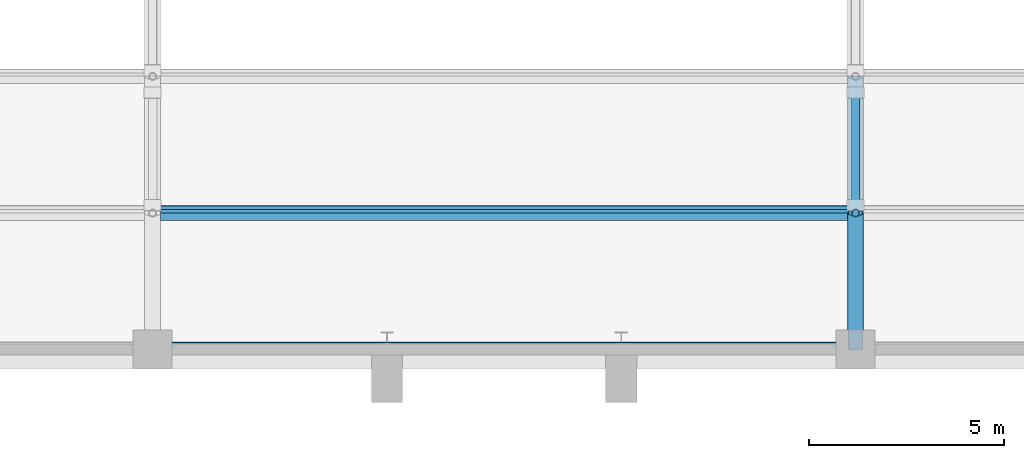
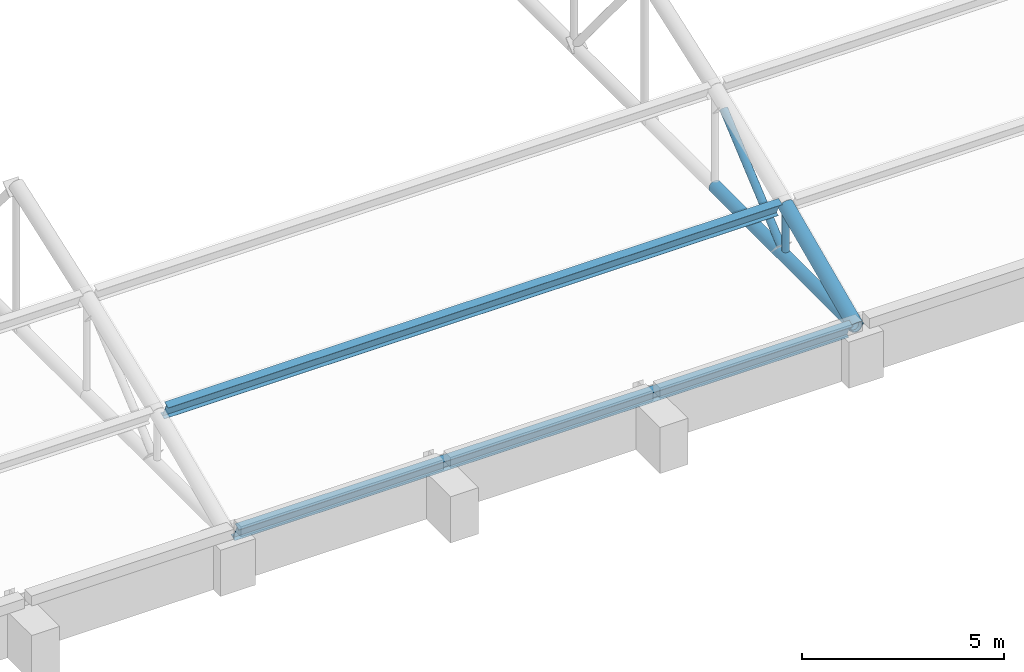
# One storey, part 34 of 196: 6 members.
"""IFC4 building model written with IfcOpenShell, lengths in metres."""

import ifcopenshell
import ifcopenshell.guid

model = None  # the IFC model being written
_history = None  # IfcOwnerHistory: only IFC2X3 demands one
_inside = {}  # id of a spatial element -> (the spatial element, [elements in it])
_under = {}  # id of a project, library or spatial element -> (it, [spatial elements below it])
_declared = {}  # id of a project -> (the project, [libraries it declares])
_typed = {}  # id of a type object -> (the type object, [elements of that type])
_made_of = {}  # id of a material, layer set ... -> (it, [elements and type objects made of it])


def new_model(schema):
    """Start an empty IFC model of exactly this schema.

    Asked for "IFC4X3", IfcOpenShell would pick the latest addendum, in which some entities
    have other attributes; the version numbers below select the first issue.
    IFC2X3 requires an IfcOwnerHistory on every rooted entity: one is made here for all.
    """
    global model, _history
    if schema == "IFC4X3":
        model = ifcopenshell.file(schema_version=(4, 3, 0, 0))
    else:
        model = ifcopenshell.file(schema=schema)
    _inside.clear()
    _under.clear()
    _declared.clear()
    _typed.clear()
    _made_of.clear()
    _history = None
    if model.schema == "IFC2X3":
        org = make("IfcOrganization", Name="unknown")
        user = make(
            "IfcPersonAndOrganization",
            ThePerson=make("IfcPerson", FamilyName="unknown"),
            TheOrganization=org,
        )
        app = make(
            "IfcApplication",
            ApplicationDeveloper=org,
            Version="unknown",
            ApplicationFullName="unknown",
            ApplicationIdentifier="unknown",
        )
        _history = make(
            "IfcOwnerHistory",
            OwningUser=user,
            OwningApplication=app,
            ChangeAction="ADDED",
            CreationDate=0,
        )
    return model


def make(cls, **values):
    """One entity of the class cls with the attributes given. An attribute that is None is left unset."""
    return model.create_entity(
        cls, **{name: value for name, value in values.items() if value is not None}
    )


def rooted(cls, **values):
    """An entity with a GlobalId (a new one), such as an element, a storey or a relation."""
    return make(cls, GlobalId=ifcopenshell.guid.new(), OwnerHistory=_history, **values)


def si_unit(unit_type, name, prefix=None):
    """IfcSIUnit, for example si_unit("LENGTHUNIT", "METRE", prefix="MILLI")."""
    return make("IfcSIUnit", UnitType=unit_type, Prefix=prefix, Name=name)


def assignment(units):
    """IfcUnitAssignment: the units of a project."""
    return None if units is None else make("IfcUnitAssignment", Units=units)


def point(xyz):
    """IfcCartesianPoint."""
    return None if xyz is None else make("IfcCartesianPoint", Coordinates=xyz)


def direction(xyz):
    """IfcDirection."""
    return None if xyz is None else make("IfcDirection", DirectionRatios=xyz)


def frame(location, z_axis=None, x_axis=None):
    """IfcAxis2Placement3D, a coordinate frame: its origin and axes. An axis left out is left unset."""
    return make(
        "IfcAxis2Placement3D",
        Location=point(location),
        Axis=direction(z_axis),
        RefDirection=direction(x_axis),
    )


def frame_2d(location, x_axis=None):
    """IfcAxis2Placement2D, a coordinate frame in the plane: its origin and x axis."""
    return make(
        "IfcAxis2Placement2D", Location=point(location), RefDirection=direction(x_axis)
    )


def origin():
    """The frame at (0, 0, 0) with its axes left unset."""
    return frame((0.0, 0.0, 0.0))


def origin_2d():
    """The frame at (0, 0) in the plane with its x axis left unset."""
    return frame_2d((0.0, 0.0))


def place(relative_to, where):
    """IfcLocalPlacement: puts the frame where relative to a parent placement (None: the world)."""
    return make(
        "IfcLocalPlacement", PlacementRelTo=relative_to, RelativePlacement=where
    )


def context(
    kind, dimensions, precision=None, world=None, true_north=None, identifier=None
):
    """IfcGeometricRepresentationContext, for example the 3D "Model" context."""
    return make(
        "IfcGeometricRepresentationContext",
        ContextIdentifier=identifier,
        ContextType=kind,
        CoordinateSpaceDimension=dimensions,
        Precision=precision,
        WorldCoordinateSystem=world,
        TrueNorth=true_north,
    )


def subcontext(parent, identifier, kind, view, scale=None):
    """IfcGeometricRepresentationSubContext, for example "Body" below "Model"."""
    return make(
        "IfcGeometricRepresentationSubContext",
        ContextIdentifier=identifier,
        ContextType=kind,
        ParentContext=parent,
        TargetScale=scale,
        TargetView=view,
    )


def project(units=None, contexts=None):
    """IfcProject with its units and contexts."""
    return rooted(
        "IfcProject",
        Name="project",
        RepresentationContexts=contexts,
        UnitsInContext=assignment(units),
    )


def spatial(cls, under=None, at=None, **own):
    """A site, building, storey or space (cls), placed at a placement, below another one or the project."""
    s = rooted(cls, ObjectPlacement=at, **own)
    if under is not None:
        _under.setdefault(under.id(), (under, []))[1].append(s)
    return s


def profile(cls, at=None, kind="AREA", **sizes):
    """A parametric profile (cls). Its sizes go by their IFC names, for example OverallWidth=200.0."""
    return make(cls, ProfileType=kind, Position=at, **sizes)


def hollow_circle(**sizes):
    """IfcCircleHollowProfileDef."""
    return profile("IfcCircleHollowProfileDef", **sizes)


def i_section(**sizes):
    """IfcIShapeProfileDef."""
    return profile("IfcIShapeProfileDef", **sizes)


def extrude(swept, where, along, depth):
    """IfcExtrudedAreaSolid: the profile swept, set in the frame where, extruded along a direction by depth."""
    return make(
        "IfcExtrudedAreaSolid",
        SweptArea=swept,
        Position=where,
        ExtrudedDirection=direction(along),
        Depth=depth,
    )


def shape(context_of_items, identifier, shape_type, items):
    """IfcShapeRepresentation: the items that make up one representation, for example the "Body"."""
    return make(
        "IfcShapeRepresentation",
        ContextOfItems=context_of_items,
        RepresentationIdentifier=identifier,
        RepresentationType=shape_type,
        Items=items,
    )


def material(Name=None, Category=None):
    """IfcMaterial."""
    return make("IfcMaterial", Name=Name, Category=Category)


def material_profile(
    of_material, cross_section, Name=None, Category=None, Priority=None
):
    """IfcMaterialProfile: a cross section and its material."""
    return make(
        "IfcMaterialProfile",
        Name=Name,
        Material=of_material,
        Profile=cross_section,
        Priority=Priority,
        Category=Category,
    )


def profile_set(profiles, Name=None, composite=None):
    """IfcMaterialProfileSet."""
    return make(
        "IfcMaterialProfileSet",
        Name=Name,
        MaterialProfiles=profiles,
        CompositeProfile=composite,
    )


def made_of(thing, what):
    """Note that an element or type object is made of a material, layer set ...; save() writes the relation."""
    if what is not None:
        _made_of.setdefault(what.id(), (what, []))[1].append(thing)
    return thing


def type_object(cls, material=None, **own):
    """A type object (cls), such as IfcWallType, which elements share."""
    return made_of(rooted(cls, **own), material)


def element(
    cls,
    number,
    at=None,
    inside=None,
    cuts=None,
    type_object=None,
    material=None,
    context=None,
    identifier="Body",
    shape_type=None,
    held_by="IfcProductDefinitionShape",
    body=None,
    shapes=None,
    **own,
):
    """One element of the class cls, such as IfcWall. Its Tag is "e" and its number.

    at: its placement. inside: the storey or other place that contains it. cuts: it is an
    opening in that element (IfcRelVoidsElement). A single representation is given by context,
    identifier, shape_type and body (its items); several are given by shapes. held_by: the class
    of the entity that holds the representations. save() writes the other relations.
    """
    e = rooted(cls, Tag="e%d" % number, ObjectPlacement=at, **own)
    if body is not None:
        shapes = [shape(context, identifier, shape_type, body)]
    if shapes is not None:
        e.Representation = make(held_by, Representations=shapes)
    if inside is not None:
        _inside.setdefault(inside.id(), (inside, []))[1].append(e)
    if cuts is not None:
        rooted(
            "IfcRelVoidsElement", RelatingBuildingElement=cuts, RelatedOpeningElement=e
        )
    if type_object is not None:
        _typed.setdefault(type_object.id(), (type_object, []))[1].append(e)
    return made_of(e, material)


def aggregate(whole, parts):
    """IfcRelAggregates: a whole, such as a stair, and the parts it consists of."""
    return rooted("IfcRelAggregates", RelatingObject=whole, RelatedObjects=parts)


def save(model, path):
    """Write the relations noted so far, then the file.

    IfcRelAggregates (storeys below a building ...), IfcRelContainedInSpatialStructure (elements
    in a storey), IfcRelDefinesByType, IfcRelAssociatesMaterial and IfcRelDeclares: one each for
    every whole, place, type object, material and project.
    """
    for whole, parts in _under.values():
        aggregate(whole, parts)
    for where, things in _inside.values():
        rooted(
            "IfcRelContainedInSpatialStructure",
            RelatedElements=things,
            RelatingStructure=where,
        )
    for kind, things in _typed.values():
        rooted("IfcRelDefinesByType", RelatedObjects=things, RelatingType=kind)
    for what, things in _made_of.values():
        rooted("IfcRelAssociatesMaterial", RelatedObjects=things, RelatingMaterial=what)
    for by, libraries in _declared.values():
        rooted("IfcRelDeclares", RelatingContext=by, RelatedDefinitions=libraries)
    model.write(path)


model = new_model("IFC4")

# Units and contexts
model_context = context("Model", 3, precision=1e-05, world=origin(), true_north=direction((0.0, 1.0)))
body_context = subcontext(model_context, "Body", "Model", "MODEL_VIEW")
ifc_project = project(units=[si_unit("LENGTHUNIT", "METRE"), si_unit("AREAUNIT", "SQUARE_METRE"), si_unit("VOLUMEUNIT", "CUBIC_METRE"), si_unit("PLANEANGLEUNIT", "RADIAN"), si_unit("MASSUNIT", "GRAM", prefix="KILO")], contexts=[model_context])

# Site, building, storey
site_placement = place(None, origin())
site = spatial("IfcSite", under=ifc_project, at=site_placement, CompositionType="ELEMENT")
building_placement = place(site_placement, origin())
building = spatial("IfcBuilding", under=site, at=building_placement, Name="Okhra Congress Centre", CompositionType="ELEMENT")
storey_placement = place(building_placement, frame((0.0, 0.0, 12.0)))
storey = spatial("IfcBuildingStorey", under=building, at=storey_placement, Name="L02", CompositionType="ELEMENT", Elevation=12.0)

# Members
ifc_material_1 = material(Name="Steel S355J2H", Category="steel")
ifc_material_profile_1 = material_profile(ifc_material_1, hollow_circle(Radius=0.096923828125, WallThickness=0.012451171875, at=origin_2d()), Name="CHS 193.7x12.5")
ifc_profile_set_1 = profile_set([ifc_material_profile_1], Name="Steel S355J2H")
member_type_1 = type_object("IfcMemberType", Name="CHS 193.7x12.5", PredefinedType="POST", material=ifc_profile_set_1)
member_1_placement = place(storey_placement, frame((100.0, 135.5, 1.577880859375), z_axis=(0.0, 0.0, 1.0), x_axis=(1.0, 0.0, 0.0)))
element("IfcMember", 1, at=member_1_placement, inside=storey, type_object=member_type_1, Name="EH.MEM.L02.T5-VER-01", PredefinedType="POST", context=body_context, shape_type="SweptSolid", body=[
    extrude(hollow_circle(Radius=0.096923828125, WallThickness=0.012451171875, at=origin_2d()), origin(), (0.0, 0.0, 1.0), 1.168212890625),
])
ifc_material_profile_2 = material_profile(ifc_material_1, hollow_circle(Radius=0.109619140625, WallThickness=0.012451171875, at=origin_2d()), Name="CHS 219.1x12.5")
ifc_profile_set_2 = profile_set([ifc_material_profile_2], Name="Steel S355J2H")
member_type_2 = type_object("IfcMemberType", Name="CHS 219.1x12.5", PredefinedType="BRACE", material=ifc_profile_set_2)
member_2_placement = place(storey_placement, frame((100.0, 138.57421875, 4.01220703125), z_axis=(0.0, -0.76205947483, -0.647507032257), x_axis=(1.0, 0.0, 0.0)))
element("IfcMember", 2, at=member_2_placement, inside=storey, type_object=member_type_2, Name="EH.MEM.L02.T5-DIA-01", PredefinedType="BRACE", context=body_context, shape_type="SweptSolid", body=[
    extrude(hollow_circle(Radius=0.109619140625, WallThickness=0.012451171875, at=origin_2d()), origin(), (0.0, 0.0, 1.0), 3.759521484375),
])
ifc_material_profile_3 = material_profile(ifc_material_1, hollow_circle(Radius=0.177734375, WallThickness=0.02490234375, at=origin_2d()), Name="CHS 355.6x25.0")
ifc_profile_set_3 = profile_set([ifc_material_profile_3], Name="Steel S355J2H")
member_type_3 = type_object("IfcMemberType", Name="CHS 355.6x25.0", PredefinedType="CHORD", material=ifc_profile_set_3)
member_3_placement = place(storey_placement, frame((100.0, 132.0, 1.39990234375), z_axis=(0.0, 1.0, 0.0), x_axis=(-1.0, 0.0, 0.0)))
element("IfcMember", 3, at=member_3_placement, inside=storey, type_object=member_type_3, Name="EH.MEM.L02.T5-BOT-01", PredefinedType="CHORD", context=body_context, shape_type="SweptSolid", body=[
    extrude(hollow_circle(Radius=0.177734375, WallThickness=0.02490234375, at=origin_2d()), origin(), (0.0, 0.0, 1.0), 7.0),
])
ifc_material_profile_4 = material_profile(ifc_material_1, hollow_circle(Radius=0.203125, WallThickness=0.02490234375, at=origin_2d()), Name="CHS 406.4x25.0")
ifc_profile_set_4 = profile_set([ifc_material_profile_4], Name="Steel S355J2H")
member_type_4 = type_object("IfcMemberType", Name="CHS 406.4x25.0", PredefinedType="CHORD", material=ifc_profile_set_4)
member_4_placement = place(storey_placement, frame((100.0, 132.0, 1.39990234375), z_axis=(0.0, 0.912710800597, 0.408606160591), x_axis=(-1.0, 0.0, 0.0)))
element("IfcMember", 4, at=member_4_placement, inside=storey, type_object=member_type_4, Name="EH.MEM.L02.T5-TOP-01", PredefinedType="CHORD", context=body_context, shape_type="SweptSolid", body=[
    extrude(hollow_circle(Radius=0.203125, WallThickness=0.02490234375, at=origin_2d()), origin(), (0.0, 0.0, 1.0), 3.834716796875),
])
ifc_material_2 = material(Name="Steel S355J2", Category="steel")
ifc_material_profile_5 = material_profile(ifc_material_2, i_section(OverallWidth=0.199951171875, OverallDepth=0.5, WebThickness=0.01025390625, FlangeThickness=0.01611328125, at=origin_2d()), Name="IPE 500")
ifc_profile_set_5 = profile_set([ifc_material_profile_5], Name="Steel S355J2")
member_type_5 = type_object("IfcMemberType", Name="IPE 500", PredefinedType="PURLIN", material=ifc_profile_set_5)
for number, where, z_axis, x_axis, name in (
    (5, (82.203125, 132.0, 1.39990234375), (1.0, 0.0, 0.0), (0.0, 0.912721046606, 0.40858327313), "EH.MEM.L02.PU4-01"),
    (6, (82.203125, 135.5, 2.966796875), (1.0, 0.0, 0.0), (0.0, 0.920437204489, 0.390890461118), "EH.MEM.L02.PU4-02"),
):
    element("IfcMember", number, at=place(storey_placement, frame(where, z_axis=z_axis, x_axis=x_axis)), inside=storey, type_object=member_type_5, Name=name, PredefinedType="PURLIN", context=body_context, shape_type="SweptSolid", body=[
        extrude(i_section(OverallWidth=0.199951171875, OverallDepth=0.5, WebThickness=0.01025390625, FlangeThickness=0.01611328125, at=origin_2d()), origin(), (0.0, 0.0, 1.0), 17.59375),
    ])

save(model, "model.ifc")
